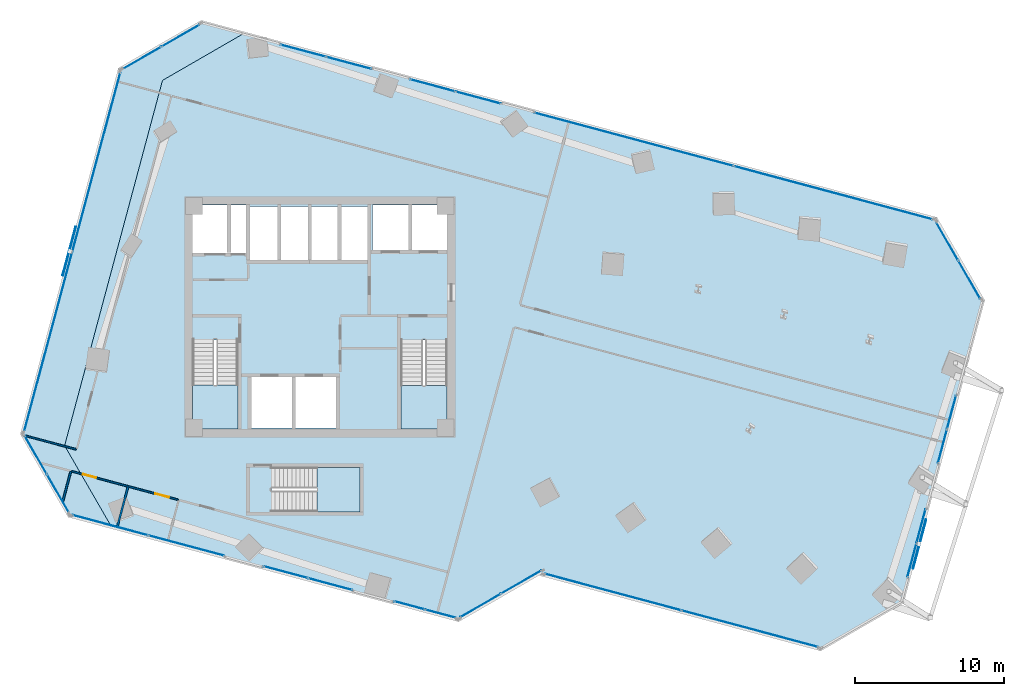
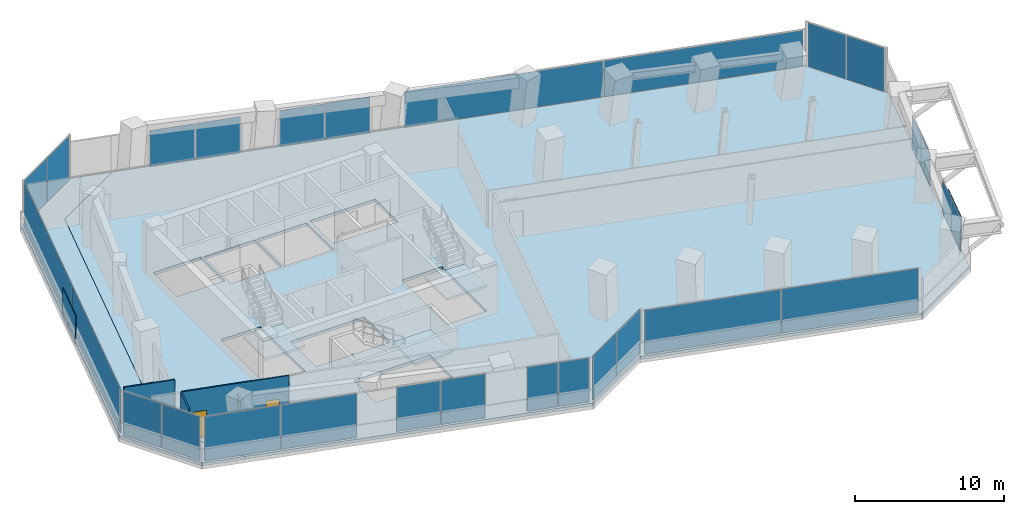
# One storey, part 20 of 27: 30 plates, 5 slabs, 4 walls, 2 doors, 2 openings, 17 elements without a shape of their own.
"""IFC4 building model written with IfcOpenShell, lengths in metres."""

from ifc_helpers import new_model, si_unit, direction, frame, frame_2d, origin, origin_2d, place, context, subcontext, project, spatial, polyline, rectangle, outline, extrude, source, transform, mapped, material, layer, layer_set, type_object, element, fill, aggregate, save


model = new_model("IFC4")

# Units and contexts
model_context = context("Model", 3, precision=1e-05, world=origin(), true_north=direction((0.0, 1.0)))
body_context = subcontext(model_context, "Body", "Model", "MODEL_VIEW")
ifc_project = project(units=[si_unit("LENGTHUNIT", "METRE"), si_unit("AREAUNIT", "SQUARE_METRE"), si_unit("VOLUMEUNIT", "CUBIC_METRE"), si_unit("PLANEANGLEUNIT", "RADIAN"), si_unit("MASSUNIT", "GRAM", prefix="KILO")], contexts=[model_context])

# Site, building, storey
site_placement = place(None, origin())
site = spatial("IfcSite", under=ifc_project, at=site_placement, CompositionType="ELEMENT")
building_placement = place(site_placement, origin())
building = spatial("IfcBuilding", under=site, at=building_placement, Name="Torre Montelarca", CompositionType="ELEMENT")
storey_placement = place(building_placement, frame((0.0, 0.0, 108.39990234375)))
storey = spatial("IfcBuildingStorey", under=building, at=storey_placement, Name="L24", CompositionType="ELEMENT", Elevation=108.39990234375)

# Slabs
ifc_material_1 = material(Name="Concrete C40/50", Category="concrete")
ifc_layer_1 = layer(ifc_material_1, 0.239990234375, Name="Concrete C40/50", Category="concrete")
ifc_layer_set_1 = layer_set([ifc_layer_1], Name="Concrete C40/50")
slab_type_1 = type_object("IfcSlabType", Name="SL-FLR-240", PredefinedType="FLOOR", material=ifc_layer_set_1)
slab_1_placement = place(storey_placement, frame((0.0, 0.0, -0.239990234375)))
element("IfcSlab", 1, at=slab_1_placement, inside=storey, type_object=slab_type_1, Name="L24 Structural Floor Slab", PredefinedType="FLOOR", context=body_context, shape_type="SweptSolid", body=[
    extrude(outline(polyline([(27.318115234375, 11.59912109375), (32.829345703125, 14.781005859375), (32.8037109375, 14.684326171875), (51.63916015625, 9.637451171875), (57.150390625, 12.8193359375), (62.585693359375, 33.10400390625), (59.40380859375, 38.615234375), (12.942626953125, 51.064453125), (7.431396484375, 47.88232421875), (0.857421875, 23.347900390625), (4.039306640625, 17.836669921875), (27.318115234375, 11.59912109375)]), holes=[polyline([(20.699951171875, 18.89990234375), (14.760009765625, 18.89990234375), (14.760009765625, 21.889892578125), (20.699951171875, 21.889892578125), (20.699951171875, 18.89990234375)]), polyline([(19.10009765625, 24.550048828125), (13.39990234375, 24.550048828125), (13.39990234375, 27.949951171875), (19.10009765625, 27.949951171875), (19.10009765625, 24.550048828125)]), polyline([(23.43994140625, 24.449951171875), (23.43994140625, 30.429931640625), (26.550048828125, 30.429931640625), (26.550048828125, 24.449951171875), (23.43994140625, 24.449951171875)]), polyline([(9.449951171875, 24.449951171875), (9.449951171875, 30.4599609375), (12.5, 30.4599609375), (12.5, 24.449951171875), (9.449951171875, 24.449951171875)]), polyline([(17.25, 35.800048828125), (13.300048828125, 35.800048828125), (13.300048828125, 39.39990234375), (17.25, 39.39990234375), (17.25, 35.800048828125)]), polyline([(21.25, 35.800048828125), (17.39990234375, 35.800048828125), (17.39990234375, 39.39990234375), (21.25, 39.39990234375), (21.25, 35.800048828125)]), polyline([(13.1201171875, 36.300048828125), (9.449951171875, 36.300048828125), (9.449951171875, 39.5), (13.1201171875, 39.5), (13.1201171875, 36.300048828125)]), polyline([(26.60009765625, 36.449951171875), (21.550048828125, 36.449951171875), (21.550048828125, 39.5), (26.60009765625, 39.5), (26.60009765625, 36.449951171875)])]), origin(), (0.0, 0.0, 1.0), 0.239990234375),
])
slab_2_placement = place(storey_placement, frame((0.0, 0.0, -0.239990234375)))
element("IfcSlab", 2, at=slab_2_placement, inside=storey, type_object=slab_type_1, Name="L24 Sliding Tray Winter Garden Floor Slab W1", PredefinedType="FLOOR", context=body_context, shape_type="SweptSolid", body=[
    extrude(outline(polyline([(4.039306640625, 17.836669921875), (0.857421875, 23.347900390625), (7.431396484375, 47.88232421875), (12.942626953125, 51.064453125), (10.044921875, 51.8408203125), (4.533447265625, 48.658935546875), (-2.04052734375, 24.12451171875), (1.1416015625, 18.613037109375), (4.039306640625, 17.836669921875)])), origin(), (0.0, 0.0, 1.0), 0.239990234375),
])

# Stair, slab
stair_type_1 = type_object("IfcStairType", Name="ST-CORE-ST1", PredefinedType="HALF_TURN_STAIR", material=ifc_material_1)
stair_1_placement = place(storey_placement, origin())
stair_1 = element("IfcStair", 3, at=stair_1_placement, inside=storey, type_object=stair_type_1, Name="L24 Protected Exit Stair ST1", PredefinedType="HALF_TURN_STAIR")
ifc_layer_2 = layer(ifc_material_1, 0.199951171875, Name="Concrete C40/50", Category="concrete")
ifc_layer_set_2 = layer_set([ifc_layer_2], Name="Concrete C40/50")
slab_type_2 = type_object("IfcSlabType", Name="SL-ST-LAND-ST1", PredefinedType="LANDING", material=ifc_layer_set_2)
slab_3_placement = place(storey_placement, frame((0.0, 0.0, 1.900146484375)))
slab_3 = element("IfcSlab", 4, at=slab_3_placement, type_object=slab_type_2, Name="ST1 landing 1", PredefinedType="LANDING", context=body_context, shape_type="SweptSolid", body=[
    extrude(outline(polyline([(9.449951171875, 27.419921875), (9.449951171875, 24.449951171875), (12.5, 24.449951171875), (12.5, 27.419921875), (9.449951171875, 27.419921875)])), origin(), (0.0, 0.0, 1.0), 0.199951171875),
])
aggregate(stair_1, [slab_3])

stair_type_2 = type_object("IfcStairType", Name="ST-CORE-ST2", PredefinedType="HALF_TURN_STAIR", material=ifc_material_1)
stair_2_placement = place(storey_placement, origin())
stair_2 = element("IfcStair", 5, at=stair_2_placement, inside=storey, type_object=stair_type_2, Name="L24 Protected Exit Stair ST2", PredefinedType="HALF_TURN_STAIR")
ifc_layer_3 = layer(ifc_material_1, 0.199951171875, Name="Concrete C40/50", Category="concrete")
ifc_layer_set_3 = layer_set([ifc_layer_3], Name="Concrete C40/50")
slab_type_3 = type_object("IfcSlabType", Name="SL-ST-LAND-ST2", PredefinedType="LANDING", material=ifc_layer_set_3)
slab_4_placement = place(storey_placement, frame((0.0, 0.0, 1.900146484375)))
slab_4 = element("IfcSlab", 6, at=slab_4_placement, type_object=slab_type_3, Name="ST2 landing 1", PredefinedType="LANDING", context=body_context, shape_type="SweptSolid", body=[
    extrude(outline(polyline([(23.43994140625, 27.389892578125), (23.43994140625, 24.449951171875), (26.550048828125, 24.449951171875), (26.550048828125, 27.389892578125), (23.43994140625, 27.389892578125)])), origin(), (0.0, 0.0, 1.0), 0.199951171875),
])
aggregate(stair_2, [slab_4])

stair_type_3 = type_object("IfcStairType", Name="ST-CORE-ST3", PredefinedType="HALF_TURN_STAIR", material=ifc_material_1)
stair_3_placement = place(storey_placement, origin())
stair_3 = element("IfcStair", 7, at=stair_3_placement, inside=storey, type_object=stair_type_3, Name="L24 Low-Rise Exit Stair ST3", PredefinedType="HALF_TURN_STAIR")
ifc_layer_4 = layer(ifc_material_1, 0.199951171875, Name="Concrete C40/50", Category="concrete")
ifc_layer_set_4 = layer_set([ifc_layer_4], Name="Concrete C40/50")
slab_type_4 = type_object("IfcSlabType", Name="SL-ST-LAND-ST3", PredefinedType="LANDING", material=ifc_layer_set_4)
slab_5_placement = place(storey_placement, frame((0.0, 0.0, 1.900146484375)))
slab_5 = element("IfcSlab", 8, at=slab_5_placement, type_object=slab_type_4, Name="ST3 landing 1", PredefinedType="LANDING", context=body_context, shape_type="SweptSolid", body=[
    extrude(outline(polyline([(17.800048828125, 18.89990234375), (20.699951171875, 18.89990234375), (20.699951171875, 21.889892578125), (17.800048828125, 21.889892578125), (17.800048828125, 18.89990234375)])), origin(), (0.0, 0.0, 1.0), 0.199951171875),
])
aggregate(stair_3, [slab_5])

# Plates
ifc_material_2 = material(Name="Architectural perforated terracotta ceramic", Category="masonry")
ifc_layer_5 = layer(ifc_material_2, 0.06005859375, Name="Architectural perforated terracotta ceramic", Category="masonry")
ifc_layer_set_5 = layer_set([ifc_layer_5], Name="Architectural perforated terracotta ceramic")
plate_type_1 = type_object("IfcPlateType", Name="SCR-CER-60", PredefinedType="USERDEFINED", material=ifc_layer_set_5)
shared_shape_1 = source(origin(), body_context, "Body", "SweptSolid", [
    extrude(rectangle(XDim=3.39990234375, YDim=0.06005859375, at=origin_2d()), origin(), (0.0, 0.0, 1.0), 1.89990234375),
])
for number, where, z_axis, x_axis, name in (
    (9, (58.283447265625, 16.738525390625, 0.500244140625), (0.0, 0.0, 1.0), (0.258819045103, 0.965925826289, 0.0), "L24 Perforated Ceramic Brise-Soleil Screen E6-1"),
    (10, (1.169189453125, 36.412353515625, 0.500244140625), (0.0, 0.0, 1.0), (-0.258819045103, -0.965925826289, 0.0), "L24 Perforated Ceramic Brise-Soleil Screen E10-1"),
):
    element("IfcPlate", number, at=place(storey_placement, frame(where, z_axis=z_axis, x_axis=x_axis)), inside=storey, type_object=plate_type_1, Name=name, ObjectType="SOLAR SCREEN", PredefinedType="USERDEFINED", context=body_context, shape_type="MappedRepresentation", body=[
        mapped(shared_shape_1, transform((0.0, 0.0, 0.0), scale=1.0)),
    ])

# Curtain wall, plates
ifc_material_3 = material(Name="Insulated low-E laminated glass", Category="glass")
curtain_wall_type = type_object("IfcCurtainWallType", Name="CW-SYS-Z1", PredefinedType="USERDEFINED", material=ifc_material_3)
curtain_wall_1_placement = place(storey_placement, origin())
curtain_wall_1 = element("IfcCurtainWall", 11, at=curtain_wall_1_placement, inside=storey, type_object=curtain_wall_type, Name="L24 Curtain Wall Run CW-T3-L24-E02-B1", ObjectType="UNITISED GLAZING", PredefinedType="USERDEFINED")
ifc_layer_6 = layer(ifc_material_3, 0.028076171875, Name="Insulated low-E laminated glass", Category="glass")
ifc_layer_set_6 = layer_set([ifc_layer_6], Name="Insulated low-E laminated glass")
plate_type_2 = type_object("IfcPlateType", Name="CWP-GLZ-28", PredefinedType="CURTAIN_PANEL", material=ifc_layer_set_6)
shared_shape_2 = source(origin(), body_context, "Body", "SweptSolid", [
    extrude(rectangle(XDim=3.102294921875, YDim=0.028076171875, at=origin_2d()), origin(), (0.0, 0.0, 1.0), 3.590087890625),
])
plate_1_placement = place(storey_placement, frame((28.79638671875, 12.6025390625, 0.06494140625), z_axis=(0.0, 0.0, 1.0), x_axis=(0.86602477194, 0.500001094386, 0.0)))
plate_1 = element("IfcPlate", 12, at=plate_1_placement, type_object=plate_type_2, Name="CW panel 1.1", PredefinedType="CURTAIN_PANEL", context=body_context, shape_type="MappedRepresentation", body=[
    mapped(shared_shape_2, transform((0.0, 0.0, 0.0), scale=1.0)),
])
plate_2_placement = place(storey_placement, frame((31.539306640625, 14.186279296875, 0.06494140625), z_axis=(0.0, 0.0, 1.0), x_axis=(0.86602477194, 0.500001094386, 0.0)))
plate_2 = element("IfcPlate", 13, at=plate_2_placement, type_object=plate_type_2, Name="CW panel 2.1", PredefinedType="CURTAIN_PANEL", context=body_context, shape_type="MappedRepresentation", body=[
    mapped(shared_shape_2, transform((0.0, 0.0, 0.0), scale=1.0)),
])
aggregate(curtain_wall_1, [plate_1, plate_2])

curtain_wall_2_placement = place(storey_placement, origin())
curtain_wall_2 = element("IfcCurtainWall", 14, at=curtain_wall_2_placement, inside=storey, type_object=curtain_wall_type, Name="L24 Curtain Wall Run CW-T3-L24-E07-B1", ObjectType="UNITISED GLAZING", PredefinedType="USERDEFINED")
shared_shape_3 = source(origin(), body_context, "Body", "SweptSolid", [
    extrude(rectangle(XDim=2.918701171875, YDim=0.028076171875, at=origin_2d()), origin(), (0.0, 0.0, 1.0), 3.590087890625),
])
plate_3_placement = place(storey_placement, frame((61.6279296875, 34.502685546875, 0.06494140625), z_axis=(0.0, 0.0, 1.0), x_axis=(-0.500008014176, 0.866020776749, 0.0)))
plate_3 = element("IfcPlate", 15, at=plate_3_placement, type_object=plate_type_2, Name="CW panel 1.1", PredefinedType="CURTAIN_PANEL", context=body_context, shape_type="MappedRepresentation", body=[
    mapped(shared_shape_3, transform((0.0, 0.0, 0.0), scale=1.0)),
])
plate_4_placement = place(storey_placement, frame((60.13623046875, 37.08642578125, 0.06494140625), z_axis=(0.0, 0.0, 1.0), x_axis=(-0.500008014176, 0.866020776749, 0.0)))
plate_4 = element("IfcPlate", 16, at=plate_4_placement, type_object=plate_type_2, Name="CW panel 2.1", PredefinedType="CURTAIN_PANEL", context=body_context, shape_type="MappedRepresentation", body=[
    mapped(shared_shape_3, transform((0.0, 0.0, 0.0), scale=1.0)),
])
aggregate(curtain_wall_2, [plate_3, plate_4])

curtain_wall_3_placement = place(storey_placement, origin())
curtain_wall_3 = element("IfcCurtainWall", 17, at=curtain_wall_3_placement, inside=storey, type_object=curtain_wall_type, Name="L24 Curtain Wall Run CW-T3-L24-E09-B1", ObjectType="UNITISED GLAZING", PredefinedType="USERDEFINED")
plate_5_placement = place(storey_placement, frame((8.646240234375, 50.88330078125, 0.06494140625), z_axis=(0.0, 0.0, 1.0), x_axis=(-0.866024921148, -0.50000083595, 0.0)))
plate_5 = element("IfcPlate", 18, at=plate_5_placement, type_object=plate_type_2, Name="CW panel 1.1", PredefinedType="CURTAIN_PANEL", context=body_context, shape_type="MappedRepresentation", body=[
    mapped(shared_shape_3, transform((0.0, 0.0, 0.0), scale=1.0)),
])
plate_6_placement = place(storey_placement, frame((6.062255859375, 49.391357421875, 0.06494140625), z_axis=(0.0, 0.0, 1.0), x_axis=(-0.866024921148, -0.50000083595, 0.0)))
plate_6 = element("IfcPlate", 19, at=plate_6_placement, type_object=plate_type_2, Name="CW panel 2.1", PredefinedType="CURTAIN_PANEL", context=body_context, shape_type="MappedRepresentation", body=[
    mapped(shared_shape_3, transform((0.0, 0.0, 0.0), scale=1.0)),
])
aggregate(curtain_wall_3, [plate_5, plate_6])

curtain_wall_4_placement = place(storey_placement, origin())
curtain_wall_4 = element("IfcCurtainWall", 20, at=curtain_wall_4_placement, inside=storey, type_object=curtain_wall_type, Name="L24 Curtain Wall Run CW-T3-L24-E11-B1", ObjectType="UNITISED GLAZING", PredefinedType="USERDEFINED")
plate_7_placement = place(storey_placement, frame((-1.082763671875, 22.7255859375, 0.06494140625), z_axis=(0.0, 0.0, 1.0), x_axis=(0.50000083595, -0.866024921148, 0.0)))
plate_7 = element("IfcPlate", 21, at=plate_7_placement, type_object=plate_type_2, Name="CW panel 1.1", PredefinedType="CURTAIN_PANEL", context=body_context, shape_type="MappedRepresentation", body=[
    mapped(shared_shape_3, transform((0.0, 0.0, 0.0), scale=1.0)),
])
plate_8_placement = place(storey_placement, frame((0.408935546875, 20.1416015625, 0.06494140625), z_axis=(0.0, 0.0, 1.0), x_axis=(0.50000083595, -0.866024921148, 0.0)))
plate_8 = element("IfcPlate", 22, at=plate_8_placement, type_object=plate_type_2, Name="CW panel 2.1", PredefinedType="CURTAIN_PANEL", context=body_context, shape_type="MappedRepresentation", body=[
    mapped(shared_shape_3, transform((0.0, 0.0, 0.0), scale=1.0)),
])
aggregate(curtain_wall_4, [plate_7, plate_8])

curtain_wall_5_placement = place(storey_placement, origin())
curtain_wall_5 = element("IfcCurtainWall", 23, at=curtain_wall_5_placement, inside=storey, type_object=curtain_wall_type, Name="L24 Curtain Wall Run CW-T3-L24-E01-B2", ObjectType="UNITISED GLAZING", PredefinedType="USERDEFINED")
shared_shape_4 = source(origin(), body_context, "Body", "SweptSolid", [
    extrude(rectangle(XDim=3.04443359375, YDim=0.028076171875, at=origin_2d()), origin(), (0.0, 0.0, 1.0), 3.590087890625),
])
plate_9_placement = place(storey_placement, frame((15.705322265625, 14.84521484375, 0.06494140625), z_axis=(0.0, 0.0, 1.0), x_axis=(0.965924681009, -0.258823319308, 0.0)))
plate_9 = element("IfcPlate", 24, at=plate_9_placement, type_object=plate_type_2, Name="CW panel 1.1", PredefinedType="CURTAIN_PANEL", context=body_context, shape_type="MappedRepresentation", body=[
    mapped(shared_shape_4, transform((0.0, 0.0, 0.0), scale=1.0)),
])
plate_10_placement = place(storey_placement, frame((18.708984375, 14.04052734375, 0.06494140625), z_axis=(0.0, 0.0, 1.0), x_axis=(0.965924681009, -0.258823319308, 0.0)))
plate_10 = element("IfcPlate", 25, at=plate_10_placement, type_object=plate_type_2, Name="CW panel 2.1", PredefinedType="CURTAIN_PANEL", context=body_context, shape_type="MappedRepresentation", body=[
    mapped(shared_shape_4, transform((0.0, 0.0, 0.0), scale=1.0)),
])
aggregate(curtain_wall_5, [plate_9, plate_10])

curtain_wall_6_placement = place(storey_placement, origin())
curtain_wall_6 = element("IfcCurtainWall", 26, at=curtain_wall_6_placement, inside=storey, type_object=curtain_wall_type, Name="L24 Curtain Wall Run CW-T3-L24-E08-B2", ObjectType="UNITISED GLAZING", PredefinedType="USERDEFINED")
shared_shape_5 = source(origin(), body_context, "Body", "SweptSolid", [
    extrude(rectangle(XDim=3.10498046875, YDim=0.028076171875, at=origin_2d()), origin(), (0.0, 0.0, 1.0), 2.945068359375),
])
plate_11_placement = place(storey_placement, frame((28.635986328125, 46.724853515625, 0.06494140625), z_axis=(0.0, 0.0, 1.0), x_axis=(-0.965923799101, 0.258826610554, 0.0)))
plate_11 = element("IfcPlate", 27, at=plate_11_placement, type_object=plate_type_2, Name="CW panel 1.1", PredefinedType="CURTAIN_PANEL", context=body_context, shape_type="MappedRepresentation", body=[
    mapped(shared_shape_5, transform((0.0, 0.0, 0.0), scale=1.0)),
])
plate_12_placement = place(storey_placement, frame((25.573974609375, 47.54541015625, 0.06494140625), z_axis=(0.0, 0.0, 1.0), x_axis=(-0.965923799101, 0.258826610554, 0.0)))
plate_12 = element("IfcPlate", 28, at=plate_12_placement, type_object=plate_type_2, Name="CW panel 2.1", PredefinedType="CURTAIN_PANEL", context=body_context, shape_type="MappedRepresentation", body=[
    mapped(shared_shape_5, transform((0.0, 0.0, 0.0), scale=1.0)),
])
aggregate(curtain_wall_6, [plate_11, plate_12])

curtain_wall_7_placement = place(storey_placement, origin())
curtain_wall_7 = element("IfcCurtainWall", 29, at=curtain_wall_7_placement, inside=storey, type_object=curtain_wall_type, Name="L24 Curtain Wall Run CW-T3-L24-E08-B3", ObjectType="UNITISED GLAZING", PredefinedType="USERDEFINED")
shared_shape_6 = source(origin(), body_context, "Body", "SweptSolid", [
    extrude(rectangle(XDim=3.101806640625, YDim=0.028076171875, at=origin_2d()), origin(), (0.0, 0.0, 1.0), 2.945068359375),
])
plate_13_placement = place(storey_placement, frame((19.946044921875, 49.05322265625, 0.06494140625), z_axis=(0.0, 0.0, 1.0), x_axis=(-0.965929216741, 0.25880639143, 0.0)))
plate_13 = element("IfcPlate", 30, at=plate_13_placement, type_object=plate_type_2, Name="CW panel 1.1", PredefinedType="CURTAIN_PANEL", context=body_context, shape_type="MappedRepresentation", body=[
    mapped(shared_shape_6, transform((0.0, 0.0, 0.0), scale=1.0)),
])
plate_14_placement = place(storey_placement, frame((16.88720703125, 49.872802734375, 0.06494140625), z_axis=(0.0, 0.0, 1.0), x_axis=(-0.965929216741, 0.25880639143, 0.0)))
plate_14 = element("IfcPlate", 31, at=plate_14_placement, type_object=plate_type_2, Name="CW panel 2.1", PredefinedType="CURTAIN_PANEL", context=body_context, shape_type="MappedRepresentation", body=[
    mapped(shared_shape_6, transform((0.0, 0.0, 0.0), scale=1.0)),
])
aggregate(curtain_wall_7, [plate_13, plate_14])

curtain_wall_8_placement = place(storey_placement, origin())
curtain_wall_8 = element("IfcCurtainWall", 32, at=curtain_wall_8_placement, inside=storey, type_object=curtain_wall_type, Name="L24 Curtain Wall Run CW-T3-L24-E04-B1", ObjectType="UNITISED GLAZING", PredefinedType="USERDEFINED")
shared_shape_7 = source(origin(), body_context, "Body", "SweptSolid", [
    extrude(rectangle(XDim=9.448486328125, YDim=0.028076171875, at=origin_2d()), origin(), (0.0, 0.0, 1.0), 3.590087890625),
])
plate_15_placement = place(storey_placement, frame((37.697021484375, 13.5078125, 0.06494140625), z_axis=(0.0, 0.0, 1.0), x_axis=(0.965924671712, -0.258823354003, 0.0)))
plate_15 = element("IfcPlate", 33, at=plate_15_placement, type_object=plate_type_2, Name="CW panel 1.1", PredefinedType="CURTAIN_PANEL", context=body_context, shape_type="MappedRepresentation", body=[
    mapped(shared_shape_7, transform((0.0, 0.0, 0.0), scale=1.0)),
])
plate_16_placement = place(storey_placement, frame((46.886474609375, 11.04541015625, 0.06494140625), z_axis=(0.0, 0.0, 1.0), x_axis=(0.965924671712, -0.258823354003, 0.0)))
plate_16 = element("IfcPlate", 34, at=plate_16_placement, type_object=plate_type_2, Name="CW panel 2.1", PredefinedType="CURTAIN_PANEL", context=body_context, shape_type="MappedRepresentation", body=[
    mapped(shared_shape_7, transform((0.0, 0.0, 0.0), scale=1.0)),
])
aggregate(curtain_wall_8, [plate_15, plate_16])

curtain_wall_9_placement = place(storey_placement, origin())
curtain_wall_9 = element("IfcCurtainWall", 35, at=curtain_wall_9_placement, inside=storey, type_object=curtain_wall_type, Name="L24 Curtain Wall Run CW-T3-L24-E10-B1", ObjectType="UNITISED GLAZING", PredefinedType="USERDEFINED")
shared_shape_8 = source(origin(), body_context, "Body", "SweptSolid", [
    extrude(rectangle(XDim=12.4365234375, YDim=0.028076171875, at=origin_2d()), origin(), (0.0, 0.0, 1.0), 3.590087890625),
])
plate_17_placement = place(storey_placement, frame((2.989990234375, 42.395751953125, 0.06494140625), z_axis=(0.0, 0.0, 1.0), x_axis=(-0.258818235755, -0.965926043153, 0.0)))
plate_17 = element("IfcPlate", 36, at=plate_17_placement, type_object=plate_type_2, Name="CW panel 1.1", PredefinedType="CURTAIN_PANEL", context=body_context, shape_type="MappedRepresentation", body=[
    mapped(shared_shape_8, transform((0.0, 0.0, 0.0), scale=1.0)),
])
plate_18_placement = place(storey_placement, frame((-0.245849609375, 30.3203125, 0.06494140625), z_axis=(0.0, 0.0, 1.0), x_axis=(-0.258818235755, -0.965926043153, 0.0)))
plate_18 = element("IfcPlate", 37, at=plate_18_placement, type_object=plate_type_2, Name="CW panel 2.1", PredefinedType="CURTAIN_PANEL", context=body_context, shape_type="MappedRepresentation", body=[
    mapped(shared_shape_8, transform((0.0, 0.0, 0.0), scale=1.0)),
])
aggregate(curtain_wall_9, [plate_17, plate_18])

curtain_wall_10_placement = place(storey_placement, origin())
curtain_wall_10 = element("IfcCurtainWall", 38, at=curtain_wall_10_placement, inside=storey, type_object=curtain_wall_type, Name="L24 Curtain Wall Run CW-T3-L24-E01-B1", ObjectType="UNITISED GLAZING", PredefinedType="USERDEFINED")
shared_shape_9 = source(origin(), body_context, "Body", "SweptSolid", [
    extrude(rectangle(XDim=5.231201171875, YDim=0.028076171875, at=origin_2d()), origin(), (0.0, 0.0, 1.0), 3.590087890625),
])
plate_19_placement = place(storey_placement, frame((3.924560546875, 18.001708984375, 0.06494140625), z_axis=(0.0, 0.0, 1.0), x_axis=(0.965925727339, -0.25881941439, 0.0)))
plate_19 = element("IfcPlate", 39, at=plate_19_placement, type_object=plate_type_2, Name="CW panel 1.1", PredefinedType="CURTAIN_PANEL", context=body_context, shape_type="MappedRepresentation", body=[
    mapped(shared_shape_9, transform((0.0, 0.0, 0.0), scale=1.0)),
])
plate_20_placement = place(storey_placement, frame((9.040283203125, 16.631103515625, 0.06494140625), z_axis=(0.0, 0.0, 1.0), x_axis=(0.965925727339, -0.25881941439, 0.0)))
plate_20 = element("IfcPlate", 40, at=plate_20_placement, type_object=plate_type_2, Name="CW panel 2.1", PredefinedType="CURTAIN_PANEL", context=body_context, shape_type="MappedRepresentation", body=[
    mapped(shared_shape_9, transform((0.0, 0.0, 0.0), scale=1.0)),
])
aggregate(curtain_wall_10, [plate_19, plate_20])

curtain_wall_11_placement = place(storey_placement, origin())
curtain_wall_11 = element("IfcCurtainWall", 41, at=curtain_wall_11_placement, inside=storey, type_object=curtain_wall_type, Name="L24 Curtain Wall Run CW-T3-L24-E06-B2", ObjectType="UNITISED GLAZING", PredefinedType="USERDEFINED")
shared_shape_10 = source(origin(), body_context, "Body", "SweptSolid", [
    extrude(rectangle(XDim=2.3115234375, YDim=0.028076171875, at=origin_2d()), origin(), (0.0, 0.0, 1.0), 2.64501953125),
])
plate_21_placement = place(storey_placement, frame((59.822998046875, 23.295654296875, 0.065185546875), z_axis=(0.0, 0.0, 1.0), x_axis=(0.258803174816, 0.96593007858, 0.0)))
plate_21 = element("IfcPlate", 42, at=plate_21_placement, type_object=plate_type_2, Name="CW panel 1.1", PredefinedType="CURTAIN_PANEL", context=body_context, shape_type="MappedRepresentation", body=[
    mapped(shared_shape_10, transform((0.0, 0.0, 0.0), scale=1.0)),
])
plate_22_placement = place(storey_placement, frame((60.43798828125, 25.591064453125, 0.065185546875), z_axis=(0.0, 0.0, 1.0), x_axis=(0.258803174816, 0.96593007858, 0.0)))
plate_22 = element("IfcPlate", 43, at=plate_22_placement, type_object=plate_type_2, Name="CW panel 2.1", PredefinedType="CURTAIN_PANEL", context=body_context, shape_type="MappedRepresentation", body=[
    mapped(shared_shape_10, transform((0.0, 0.0, 0.0), scale=1.0)),
])
aggregate(curtain_wall_11, [plate_21, plate_22])

curtain_wall_12_placement = place(storey_placement, origin())
curtain_wall_12 = element("IfcCurtainWall", 44, at=curtain_wall_12_placement, inside=storey, type_object=curtain_wall_type, Name="L24 Curtain Wall Run CW-T3-L24-E08-B1", ObjectType="UNITISED GLAZING", PredefinedType="USERDEFINED")
shared_shape_11 = source(origin(), body_context, "Body", "SweptSolid", [
    extrude(rectangle(XDim=13.7900390625, YDim=0.028076171875, at=origin_2d()), origin(), (0.0, 0.0, 1.0), 2.945068359375),
])
plate_23_placement = place(storey_placement, frame((52.487060546875, 40.333984375, 0.06494140625), z_axis=(0.0, 0.0, 1.0), x_axis=(-0.965925600449, 0.258819887947, 0.0)))
plate_23 = element("IfcPlate", 45, at=plate_23_placement, type_object=plate_type_2, Name="CW panel 1.1", PredefinedType="CURTAIN_PANEL", context=body_context, shape_type="MappedRepresentation", body=[
    mapped(shared_shape_11, transform((0.0, 0.0, 0.0), scale=1.0)),
])
plate_24_placement = place(storey_placement, frame((39.10400390625, 43.919921875, 0.06494140625), z_axis=(0.0, 0.0, 1.0), x_axis=(-0.965925600449, 0.258819887947, 0.0)))
plate_24 = element("IfcPlate", 46, at=plate_24_placement, type_object=plate_type_2, Name="CW panel 2.1", PredefinedType="CURTAIN_PANEL", context=body_context, shape_type="MappedRepresentation", body=[
    mapped(shared_shape_11, transform((0.0, 0.0, 0.0), scale=1.0)),
])
aggregate(curtain_wall_12, [plate_23, plate_24])

curtain_wall_13_placement = place(storey_placement, origin())
curtain_wall_13 = element("IfcCurtainWall", 47, at=curtain_wall_13_placement, inside=storey, type_object=curtain_wall_type, Name="L24 Curtain Wall Run CW-T3-L24-E01-B3", ObjectType="UNITISED GLAZING", PredefinedType="USERDEFINED")
shared_shape_12 = source(origin(), body_context, "Body", "SweptSolid", [
    extrude(rectangle(XDim=2.10546875, YDim=0.028076171875, at=origin_2d()), origin(), (0.0, 0.0, 1.0), 3.590087890625),
])
plate_25_placement = place(storey_placement, frame((24.015380859375, 12.618408203125, 0.06494140625), z_axis=(0.0, 0.0, 1.0), x_axis=(0.965924951474, -0.258822309935, 0.0)))
plate_25 = element("IfcPlate", 48, at=plate_25_placement, type_object=plate_type_2, Name="CW panel 1.1", PredefinedType="CURTAIN_PANEL", context=body_context, shape_type="MappedRepresentation", body=[
    mapped(shared_shape_12, transform((0.0, 0.0, 0.0), scale=1.0)),
])
plate_26_placement = place(storey_placement, frame((26.11181640625, 12.056884765625, 0.06494140625), z_axis=(0.0, 0.0, 1.0), x_axis=(0.965924951474, -0.258822309935, 0.0)))
plate_26 = element("IfcPlate", 49, at=plate_26_placement, type_object=plate_type_2, Name="CW panel 2.1", PredefinedType="CURTAIN_PANEL", context=body_context, shape_type="MappedRepresentation", body=[
    mapped(shared_shape_12, transform((0.0, 0.0, 0.0), scale=1.0)),
])
aggregate(curtain_wall_13, [plate_25, plate_26])

curtain_wall_14_placement = place(storey_placement, origin())
curtain_wall_14 = element("IfcCurtainWall", 50, at=curtain_wall_14_placement, inside=storey, type_object=curtain_wall_type, Name="L24 Curtain Wall Run CW-T3-L24-E06-B1", ObjectType="UNITISED GLAZING", PredefinedType="USERDEFINED")
shared_shape_13 = source(origin(), body_context, "Body", "SweptSolid", [
    extrude(rectangle(XDim=2.314208984375, YDim=0.028076171875, at=origin_2d()), origin(), (0.0, 0.0, 1.0), 2.64501953125),
])
plate_27_placement = place(storey_placement, frame((57.772705078125, 15.643798828125, 0.065185546875), z_axis=(0.0, 0.0, 1.0), x_axis=(0.258813459393, 0.965927322958, 0.0)))
plate_27 = element("IfcPlate", 51, at=plate_27_placement, type_object=plate_type_2, Name="CW panel 1.1", PredefinedType="CURTAIN_PANEL", context=body_context, shape_type="MappedRepresentation", body=[
    mapped(shared_shape_13, transform((0.0, 0.0, 0.0), scale=1.0)),
])
plate_28_placement = place(storey_placement, frame((58.388427734375, 17.94189453125, 0.065185546875), z_axis=(0.0, 0.0, 1.0), x_axis=(0.258813459393, 0.965927322958, 0.0)))
plate_28 = element("IfcPlate", 52, at=plate_28_placement, type_object=plate_type_2, Name="CW panel 2.1", PredefinedType="CURTAIN_PANEL", context=body_context, shape_type="MappedRepresentation", body=[
    mapped(shared_shape_13, transform((0.0, 0.0, 0.0), scale=1.0)),
])
aggregate(curtain_wall_14, [plate_27, plate_28])

# Wall, openings, doors
ifc_material_4 = material(Name="Acoustic laminated glass partition", Category="glass")
ifc_layer_7 = layer(ifc_material_4, 0.10009765625, Name="Acoustic laminated glass partition", Category="glass")
ifc_layer_set_7 = layer_set([ifc_layer_7], Name="Acoustic laminated glass partition")
wall_type_1 = type_object("IfcWallType", Name="PW-GLAZ-100", PredefinedType="PARTITIONING", material=ifc_layer_set_7)
wall_1_placement = place(storey_placement, frame((1.318359375, 21.6298828125, 0.0), z_axis=(0.0, 0.0, 1.0), x_axis=(0.965935568552, -0.258782683744, 0.0)))
wall_1 = element("IfcWall", 53, at=wall_1_placement, inside=storey, type_object=wall_type_1, Name="L24 Interior Partition W-L24-WCN", PredefinedType="PARTITIONING", context=body_context, shape_type="SweptSolid", body=[
    extrude(rectangle(XDim=7.419921875, YDim=0.10009765625, at=frame_2d((3.7099609375, 0.0))), origin(), (0.0, 0.0, 1.0), 3.960205078125),
])
opening_1_placement = place(wall_1_placement, frame((0.800048828125, 0.0, 0.0)))
opening_1 = element("IfcOpeningElement", 54, at=opening_1_placement, cuts=wall_1, Name="Opening ID-090", PredefinedType="OPENING", context=body_context, shape_type="SweptSolid", body=[
    extrude(rectangle(XDim=0.89990234375, YDim=2.14990234375, at=frame_2d((0.449951171875, 1.074951171875))), frame((0.0, 0.06005859375, 0.0), z_axis=(0.0, -1.0, 0.0), x_axis=(1.0, 0.0, 0.0)), (0.0, 0.0, 1.0), 0.1201171875),
])
opening_2_placement = place(wall_1_placement, frame((5.830078125, 0.0, 0.0)))
opening_2 = element("IfcOpeningElement", 55, at=opening_2_placement, cuts=wall_1, Name="Opening ID-095", PredefinedType="OPENING", context=body_context, shape_type="SweptSolid", body=[
    extrude(rectangle(XDim=0.949951171875, YDim=2.14990234375, at=frame_2d((0.47509765625, 1.074951171875))), frame((0.0, 0.06005859375, 0.0), z_axis=(0.0, -1.0, 0.0), x_axis=(1.0, 0.0, 0.0)), (0.0, 0.0, 1.0), 0.1201171875),
])
ifc_material_5 = material(Name="Hardwood acoustic timber veneer", Category="wood")
door_type_1 = type_object("IfcDoorType", Name="DR-INT-090", OperationType="NOTDEFINED", PredefinedType="DOOR", material=ifc_material_5)
shared_shape_14 = source(origin(), body_context, "Body", "SweptSolid", [
    extrude(rectangle(XDim=0.89990234375, YDim=2.14990234375, at=frame_2d((0.449951171875, 1.074951171875))), frame((0.0, 0.02490234375, 0.0), z_axis=(0.0, -1.0, 0.0), x_axis=(1.0, 0.0, 0.0)), (0.0, 0.0, 1.0), 0.050048828125),
])
door_1_placement = place(opening_1_placement, origin())
door_1 = element("IfcDoor", 56, at=door_1_placement, inside=storey, type_object=door_type_1, Name="L24 Interior Door 04", OperationType="SINGLE_SWING_LEFT", OverallHeight=2.14990234375, OverallWidth=0.89990234375, PredefinedType="DOOR", context=body_context, shape_type="MappedRepresentation", body=[
    mapped(shared_shape_14, transform((0.0, 0.0, 0.0), scale=1.0)),
])
fill(opening_1, door_1)
door_type_2 = type_object("IfcDoorType", Name="DR-INT-095", OperationType="NOTDEFINED", PredefinedType="DOOR", material=ifc_material_5)
shared_shape_15 = source(origin(), body_context, "Body", "SweptSolid", [
    extrude(rectangle(XDim=0.949951171875, YDim=2.14990234375, at=frame_2d((0.47509765625, 1.074951171875))), frame((0.0, 0.02490234375, 0.0), z_axis=(0.0, -1.0, 0.0), x_axis=(1.0, 0.0, 0.0)), (0.0, 0.0, 1.0), 0.050048828125),
])
door_2_placement = place(opening_2_placement, origin())
door_2 = element("IfcDoor", 57, at=door_2_placement, inside=storey, type_object=door_type_2, Name="L24 Interior Door 05", OperationType="SINGLE_SWING_RIGHT", OverallHeight=2.14990234375, OverallWidth=0.949951171875, PredefinedType="DOOR", context=body_context, shape_type="MappedRepresentation", body=[
    mapped(shared_shape_15, transform((0.0, 0.0, 0.0), scale=1.0)),
])
fill(opening_2, door_2)

# Walls
wall_2_placement = place(storey_placement, frame((-1.782470703125, 24.013671875, 0.0), z_axis=(0.0, 0.0, 1.0), x_axis=(0.965936019953, -0.258780998834, 0.0)))
element("IfcWall", 58, at=wall_2_placement, inside=storey, type_object=wall_type_1, Name="L24 Interior Partition W-L24-WWGS", PredefinedType="PARTITIONING", context=body_context, shape_type="SweptSolid", body=[
    extrude(rectangle(XDim=3.5322265625, YDim=0.10009765625, at=frame_2d((1.76611328125, 0.0))), origin(), (0.0, 0.0, 1.0), 3.960205078125),
])
ifc_material_6 = material(Name="Gypsum plasterboard on steel stud", Category="steel")
ifc_layer_8 = layer(ifc_material_6, 0.114990234375, Name="Gypsum plasterboard on steel stud", Category="steel")
ifc_layer_set_8 = layer_set([ifc_layer_8], Name="Gypsum plasterboard on steel stud")
wall_type_2 = type_object("IfcWallType", Name="PW-PART-115", PredefinedType="PARTITIONING", material=ifc_layer_set_8)
wall_3_placement = place(storey_placement, frame((0.743408203125, 19.638916015625, 0.0), z_axis=(0.0, 0.0, 1.0), x_axis=(0.258784127083, 0.965935181868, 0.0)))
element("IfcWall", 59, at=wall_3_placement, inside=storey, type_object=wall_type_2, Name="L24 Interior Partition W-L24-WCW", PredefinedType="PARTITIONING", context=body_context, shape_type="SweptSolid", body=[
    extrude(rectangle(XDim=2.0322265625, YDim=0.114990234375, at=frame_2d((1.01611328125, 0.0))), origin(), (0.0, 0.0, 1.0), 3.960205078125),
])
ifc_layer_9 = layer(ifc_material_6, 0.135009765625, Name="Gypsum plasterboard on steel stud", Category="steel")
ifc_layer_set_9 = layer_set([ifc_layer_9], Name="Gypsum plasterboard on steel stud")
wall_type_3 = type_object("IfcWallType", Name="PW-PART-135", PredefinedType="PARTITIONING", material=ifc_layer_set_9)
wall_4_placement = place(storey_placement, frame((4.40478515625, 17.925048828125, 0.0), z_axis=(0.0, 0.0, 1.0), x_axis=(0.25874944638, 0.965944472523, 0.0)))
element("IfcWall", 60, at=wall_4_placement, inside=storey, type_object=wall_type_3, Name="L24 Interior Partition W-L24-WCD", PredefinedType="PARTITIONING", context=body_context, shape_type="SweptSolid", body=[
    extrude(rectangle(XDim=2.739990234375, YDim=0.135009765625, at=frame_2d((1.3701171875, 0.0))), origin(), (0.0, 0.0, 1.0), 3.09521484375),
])

save(model, "model.ifc")
